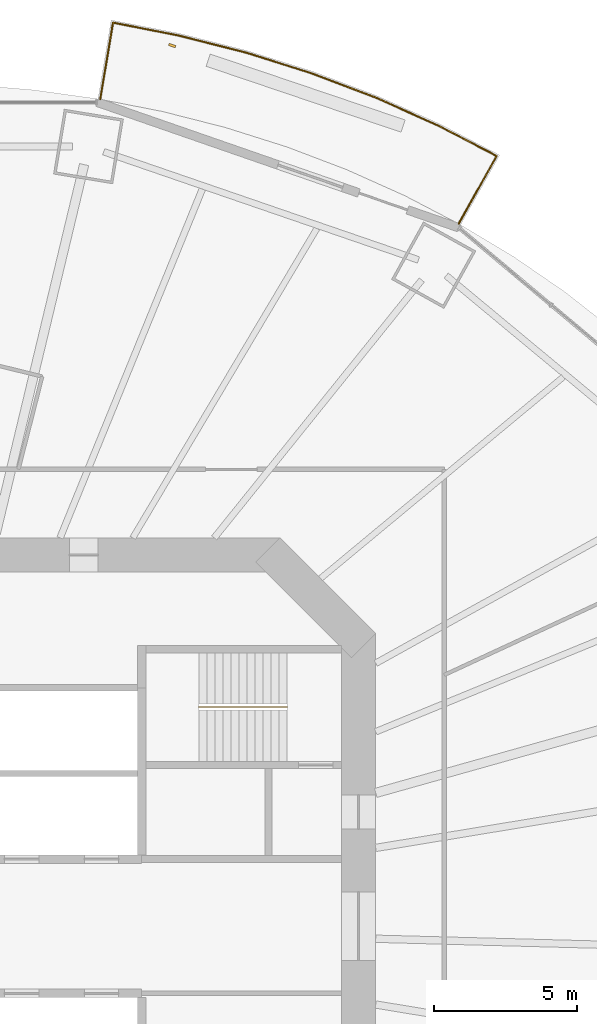
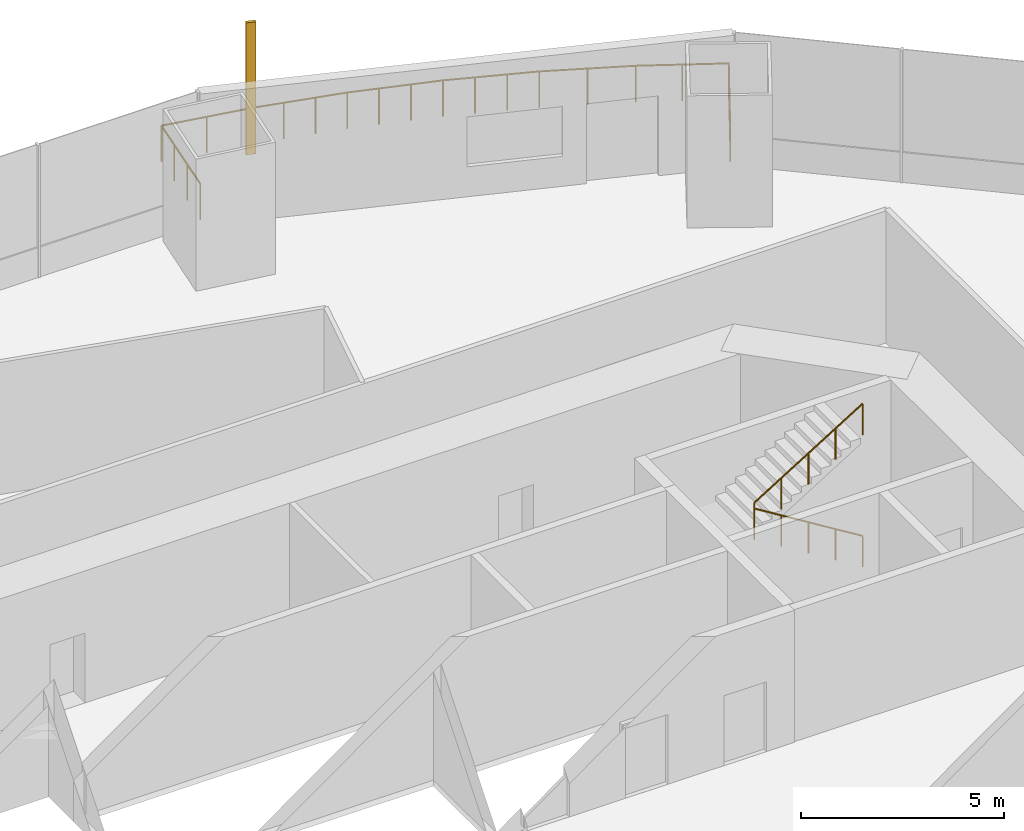
# One storey, part 20 of 22: 2 railings, 1 shading device.
"""IFC4 building model written with IfcOpenShell, lengths in metres."""

from ifc_helpers import new_model, si_unit, direction, frame, origin, origin_2d, place, context, subcontext, project, spatial, rectangle, circle, extrude, material, material_profile, profile_set, type_object, element, save


model = new_model("IFC4")

# Units and contexts
model_context = context("Model", 3, precision=1e-05, world=origin(), true_north=direction((0.0, 1.0)))
body_context = subcontext(model_context, "Body", "Model", "MODEL_VIEW")
ifc_project = project(units=[si_unit("LENGTHUNIT", "METRE"), si_unit("AREAUNIT", "SQUARE_METRE"), si_unit("VOLUMEUNIT", "CUBIC_METRE"), si_unit("PLANEANGLEUNIT", "RADIAN"), si_unit("MASSUNIT", "GRAM", prefix="KILO")], contexts=[model_context])

# Site, building, storey
site_placement = place(None, origin())
site = spatial("IfcSite", under=ifc_project, at=site_placement, CompositionType="ELEMENT")
building_placement = place(site_placement, origin())
building = spatial("IfcBuilding", under=site, at=building_placement, Name="Marenthal Gate Tower", CompositionType="ELEMENT")
storey_placement = place(building_placement, frame((0.0, 0.0, 86.949951171875)))
storey = spatial("IfcBuildingStorey", under=building, at=storey_placement, Name="L17", CompositionType="ELEMENT", Elevation=86.949951171875)

# Railings
ifc_material_1 = material(Name="Stainless steel", Category="steel")
railing_type_1 = type_object("IfcRailingType", Name="Balcony guard 1100", PredefinedType="GUARDRAIL", material=ifc_material_1)
railing_1_placement = place(storey_placement, frame((6.9521484375, 28.957275390625, 0.0)))
element("IfcRailing", 1, at=railing_1_placement, inside=storey, type_object=railing_type_1, Name="Balcony guard L17 bay 3", PredefinedType="GUARDRAIL", context=body_context, shape_type="SweptSolid", body=[
    extrude(circle(Radius=0.02392578125, at=origin_2d()), frame((0.0, 0.0, 1.076171875), z_axis=(0.164599482451, 0.986250661205, -0.014718819587), x_axis=(-0.986357511038, 0.164617315064, 0.0)), (0.0, 0.0, 1.0), 2.72021484375),
    extrude(circle(Radius=0.02392578125, at=origin_2d()), frame((0.44775390625, 2.682861328125, 1.0361328125), z_axis=(0.981243578155, -0.19277199052, 0.0), x_axis=(0.19277199052, 0.981243578155, 0.0)), (0.0, 0.0, 1.0), 2.359375),
    extrude(circle(Radius=0.02392578125, at=origin_2d()), frame((2.762939453125, 2.22802734375, 1.0361328125), z_axis=(0.969141273658, -0.246505966848, 0.0), x_axis=(0.246505966848, 0.969141273658, 0.0)), (0.0, 0.0, 1.0), 2.429443359375),
    extrude(circle(Radius=0.02392578125, at=origin_2d()), frame((5.117431640625, 1.629150390625, 1.0361328125), z_axis=(0.953649791478, -0.300918718616, 0.0), x_axis=(0.300918718616, 0.953649791478, 0.0)), (0.0, 0.0, 1.0), 2.417724609375),
    extrude(circle(Radius=0.02392578125, at=origin_2d()), frame((7.423095703125, 0.901611328125, 1.0361328125), z_axis=(0.934801116304, -0.355171610573, 0.0), x_axis=(0.355171610573, 0.934801116304, 0.0)), (0.0, 0.0, 1.0), 2.40380859375),
    extrude(circle(Radius=0.02392578125, at=origin_2d()), frame((9.670166015625, 0.0478515625, 1.0361328125), z_axis=(0.912542222384, -0.408982508631, 0.0), x_axis=(0.408982508631, 0.912542222384, 0.0)), (0.0, 0.0, 1.0), 2.3876953125),
    extrude(circle(Radius=0.02392578125, at=origin_2d()), frame((11.84912109375, -0.9287109375, 1.0361328125), z_axis=(0.887216801235, -0.461352736642, 0.0), x_axis=(0.461352736642, 0.887216801235, 0.0)), (0.0, 0.0, 1.0), 2.290771484375),
    extrude(circle(Radius=0.02392578125, at=origin_2d()), frame((13.881591796875, -1.985595703125, 1.0361328125), z_axis=(-0.489023148101, -0.872146623829, 0.01471825955), x_axis=(0.872241104505, -0.489076124557, 0.0)), (0.0, 0.0, 1.0), 2.720458984375),
    extrude(circle(Radius=0.02099609375, at=origin_2d()), origin(), (0.0, 0.0, 1.0), 1.052001953125),
    extrude(circle(Radius=0.02099609375, at=origin_2d()), frame((0.149169921875, 0.894287109375, -0.013427734375)), (0.0, 0.0, 1.0), 1.052001953125),
    extrude(circle(Radius=0.02099609375, at=origin_2d()), frame((0.298583984375, 1.78857421875, -0.026611328125)), (0.0, 0.0, 1.0), 1.052001953125),
    extrude(circle(Radius=0.02099609375, at=origin_2d()), frame((0.44775390625, 2.682861328125, -0.0400390625)), (0.0, 0.0, 1.0), 1.052001953125),
    extrude(circle(Radius=0.02099609375, at=origin_2d()), frame((1.60546875, 2.45556640625, -0.0400390625)), (0.0, 0.0, 1.0), 1.052001953125),
    extrude(circle(Radius=0.02099609375, at=origin_2d()), frame((2.762939453125, 2.22802734375, -0.0400390625)), (0.0, 0.0, 1.0), 1.052001953125),
    extrude(circle(Radius=0.02099609375, at=origin_2d()), frame((3.5478515625, 2.0283203125, -0.0400390625)), (0.0, 0.0, 1.0), 1.052001953125),
    extrude(circle(Radius=0.02099609375, at=origin_2d()), frame((4.33251953125, 1.828857421875, -0.0400390625)), (0.0, 0.0, 1.0), 1.052001953125),
    extrude(circle(Radius=0.02099609375, at=origin_2d()), frame((5.117431640625, 1.629150390625, -0.0400390625)), (0.0, 0.0, 1.0), 1.052001953125),
    extrude(circle(Radius=0.02099609375, at=origin_2d()), frame((5.885986328125, 1.38671875, -0.0400390625)), (0.0, 0.0, 1.0), 1.052001953125),
    extrude(circle(Radius=0.02099609375, at=origin_2d()), frame((6.654541015625, 1.14404296875, -0.0400390625)), (0.0, 0.0, 1.0), 1.052001953125),
    extrude(circle(Radius=0.02099609375, at=origin_2d()), frame((7.423095703125, 0.901611328125, -0.0400390625)), (0.0, 0.0, 1.0), 1.052001953125),
    extrude(circle(Radius=0.02099609375, at=origin_2d()), frame((8.172119140625, 0.616943359375, -0.0400390625)), (0.0, 0.0, 1.0), 1.052001953125),
    extrude(circle(Radius=0.02099609375, at=origin_2d()), frame((8.921142578125, 0.33251953125, -0.0400390625)), (0.0, 0.0, 1.0), 1.052001953125),
    extrude(circle(Radius=0.02099609375, at=origin_2d()), frame((9.670166015625, 0.0478515625, -0.0400390625)), (0.0, 0.0, 1.0), 1.052001953125),
    extrude(circle(Radius=0.02099609375, at=origin_2d()), frame((10.759765625, -0.4404296875, -0.0400390625)), (0.0, 0.0, 1.0), 1.052001953125),
    extrude(circle(Radius=0.02099609375, at=origin_2d()), frame((11.84912109375, -0.9287109375, -0.0400390625)), (0.0, 0.0, 1.0), 1.052001953125),
    extrude(circle(Radius=0.02099609375, at=origin_2d()), frame((12.865234375, -1.45703125, -0.0400390625)), (0.0, 0.0, 1.0), 1.052001953125),
    extrude(circle(Radius=0.02099609375, at=origin_2d()), frame((13.881591796875, -1.985595703125, -0.0400390625)), (0.0, 0.0, 1.0), 1.052001953125),
    extrude(circle(Radius=0.02099609375, at=origin_2d()), frame((13.438232421875, -2.7763671875, -0.026611328125)), (0.0, 0.0, 1.0), 1.052001953125),
    extrude(circle(Radius=0.02099609375, at=origin_2d()), frame((12.99462890625, -3.5673828125, -0.013427734375)), (0.0, 0.0, 1.0), 1.052001953125),
    extrude(circle(Radius=0.02099609375, at=origin_2d()), frame((12.55126953125, -4.358154296875, 0.0)), (0.0, 0.0, 1.0), 1.052001953125),
])
ifc_material_2 = material(Name="Stainless steel", Category="steel")
railing_type_2 = type_object("IfcRailingType", Name="Stair handrail", PredefinedType="HANDRAIL", material=ifc_material_2)
railing_2_placement = place(storey_placement, frame((13.5, 7.675048828125, 0.1728515625)))
element("IfcRailing", 2, at=railing_2_placement, inside=storey, type_object=railing_type_2, Name="Handrail ST3", PredefinedType="HANDRAIL", context=body_context, shape_type="SweptSolid", body=[
    extrude(circle(Radius=0.0224609375, at=origin_2d()), frame((0.0, 0.0, 0.927490234375), z_axis=(-0.850835241893, 0.0, 0.525432575268), x_axis=(0.0, -1.0, 0.0)), (0.0, 0.0, 1.0), 3.6201171875),
    extrude(circle(Radius=0.0224609375, at=origin_2d()), frame((-3.080078125, 0.0, 2.82958984375), z_axis=(0.0, 0.0, 1.0), x_axis=(1.0, 0.0, 0.0)), (0.0, 0.0, 1.0), 0.173095703125),
    extrude(circle(Radius=0.0224609375, at=origin_2d()), frame((-3.080078125, 0.0, 3.002685546875), z_axis=(0.850835241893, 0.0, 0.525432575268), x_axis=(0.0, 1.0, 0.0)), (0.0, 0.0, 1.0), 3.6201171875),
    extrude(circle(Radius=0.02001953125, at=origin_2d()), origin(), (0.0, 0.0, 1.0), 0.905029296875),
    extrude(circle(Radius=0.02001953125, at=origin_2d()), frame((-0.77001953125, 0.0, 0.4755859375)), (0.0, 0.0, 1.0), 0.905029296875),
    extrude(circle(Radius=0.02001953125, at=origin_2d()), frame((-1.5400390625, 0.0, 0.951171875)), (0.0, 0.0, 1.0), 0.905029296875),
    extrude(circle(Radius=0.02001953125, at=origin_2d()), frame((-2.31005859375, 0.0, 1.426513671875)), (0.0, 0.0, 1.0), 0.905029296875),
    extrude(circle(Radius=0.02001953125, at=origin_2d()), frame((-3.080078125, 0.0, 1.902099609375)), (0.0, 0.0, 1.0), 0.905029296875),
    extrude(circle(Radius=0.02001953125, at=origin_2d()), frame((-3.080078125, 0.0, 2.0751953125)), (0.0, 0.0, 1.0), 0.905029296875),
    extrude(circle(Radius=0.02001953125, at=origin_2d()), frame((-2.31005859375, 0.0, 2.55078125)), (0.0, 0.0, 1.0), 0.905029296875),
    extrude(circle(Radius=0.02001953125, at=origin_2d()), frame((-1.5400390625, 0.0, 3.0263671875)), (0.0, 0.0, 1.0), 0.905029296875),
    extrude(circle(Radius=0.02001953125, at=origin_2d()), frame((-0.77001953125, 0.0, 3.501708984375)), (0.0, 0.0, 1.0), 0.905029296875),
    extrude(circle(Radius=0.02001953125, at=origin_2d()), frame((0.0, 0.0, 3.977294921875)), (0.0, 0.0, 1.0), 0.905029296875),
])

# Shading device
ifc_material_3 = material(Name="Terracotta", Category="masonry")
ifc_material_profile = material_profile(ifc_material_3, rectangle(XDim=0.25, YDim=0.080078125, at=origin_2d()), Name="Terracotta baguette 250x80")
ifc_profile_set = profile_set([ifc_material_profile], Name="Terracotta")
shading_device_type = type_object("IfcShadingDeviceType", Name="Terracotta BAGUETTE SCREEN 250x80", PredefinedType="USERDEFINED", material=ifc_profile_set)
shading_device_placement = place(storey_placement, frame((9.471923828125, 30.837646484375, -0.0400390625), z_axis=(0.0, 0.0, 1.0), x_axis=(-0.944634232614, 0.328125230017, 0.0)))
element("IfcShadingDevice", 3, at=shading_device_placement, inside=storey, type_object=shading_device_type, Name="Terracotta BAGUETTE L17 bay 3R", ObjectType="BAGUETTE SCREEN", PredefinedType="USERDEFINED", context=body_context, shape_type="SweptSolid", body=[
    extrude(rectangle(XDim=0.25, YDim=0.080078125, at=origin_2d()), origin(), (0.0, 0.0, 1.0), 3.969970703125),
])

save(model, "model.ifc")
